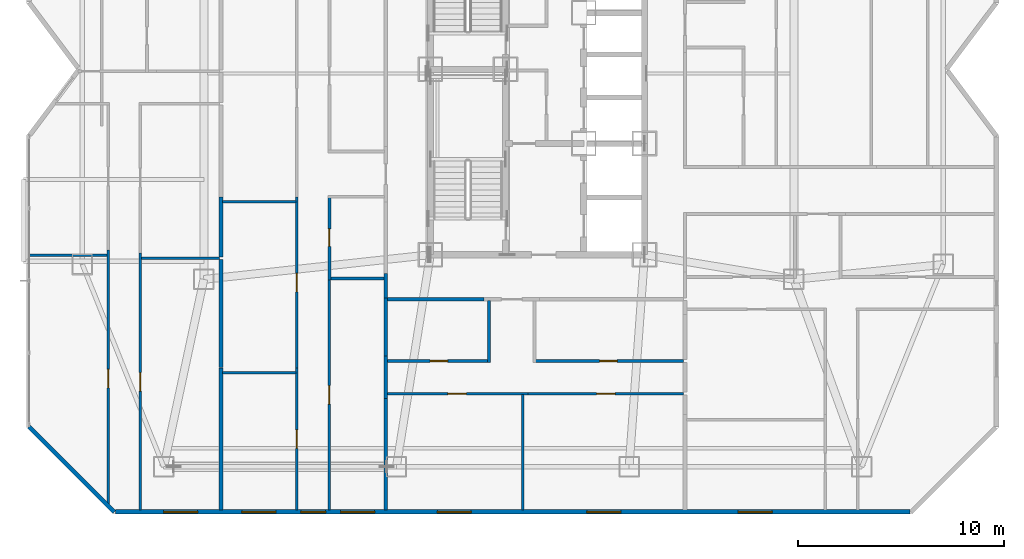
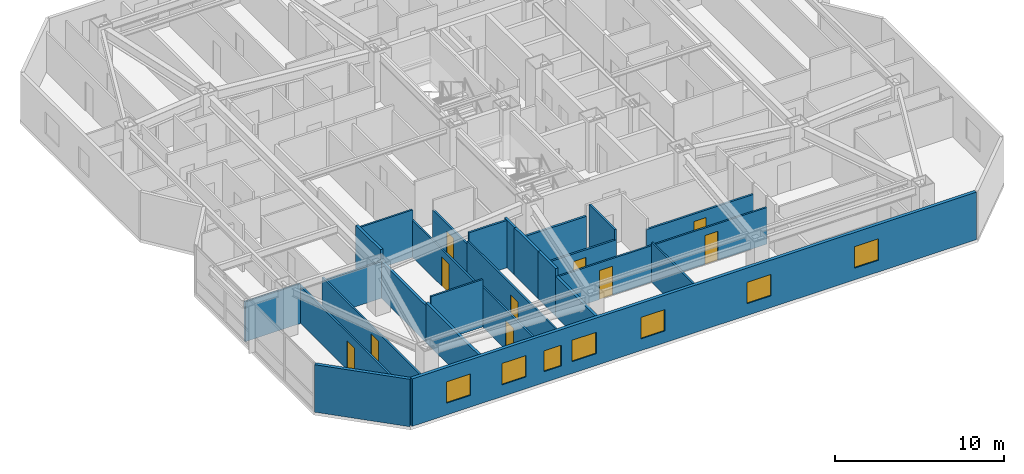
# One storey, part 11 of 18: 27 walls, 10 doors, 7 windows, 17 openings.
"""IFC4 building model written with IfcOpenShell, lengths in metres."""

from ifc_helpers import new_model, si_unit, direction, frame, frame_2d, origin, place, context, subcontext, project, spatial, rectangle, extrude, material, layer, layer_set, type_object, element, fill, save


model = new_model("IFC4")

# Units and contexts
model_context = context("Model", 3, precision=1e-05, world=origin(), true_north=direction((0.0, 1.0)))
body_context = subcontext(model_context, "Body", "Model", "MODEL_VIEW")
ifc_project = project(units=[si_unit("LENGTHUNIT", "METRE"), si_unit("AREAUNIT", "SQUARE_METRE"), si_unit("VOLUMEUNIT", "CUBIC_METRE"), si_unit("PLANEANGLEUNIT", "RADIAN"), si_unit("MASSUNIT", "GRAM", prefix="KILO")], contexts=[model_context])

# Site, building, storey
site_placement = place(None, origin())
site = spatial("IfcSite", under=ifc_project, at=site_placement, CompositionType="ELEMENT")
building_placement = place(site_placement, origin())
building = spatial("IfcBuilding", under=site, at=building_placement, Name="Khamvora Tower", CompositionType="ELEMENT")
storey_placement = place(building_placement, frame((0.0, 0.0, 109.199951171875)))
storey = spatial("IfcBuildingStorey", under=building, at=storey_placement, Name="L27", CompositionType="ELEMENT", Elevation=109.199951171875)

# Walls
ifc_material_1 = material(Name="Fire-Rated Drywall and Steel Stud", Category="steel")
ifc_layer_1 = layer(ifc_material_1, 0.14990234375)
ifc_layer_set_1 = layer_set([ifc_layer_1], Name="Fire-Rated Drywall and Steel Stud")
wall_type_1 = type_object("IfcWallType", Name="WAL-CORR-150", PredefinedType="STANDARD", material=ifc_layer_set_1)
wall_1_placement = place(storey_placement, frame((26.8349609375, 16.89990234375, 0.0), z_axis=(0.0, 0.0, 1.0), x_axis=(0.0, 1.0, 0.0)))
element("IfcWall", 1, at=wall_1_placement, inside=storey, type_object=wall_type_1, Name="L27 interior partition wall 009", PredefinedType="STANDARD", context=body_context, shape_type="SweptSolid", body=[
    extrude(rectangle(XDim=1.193115234375, YDim=0.14990234375, at=frame_2d((0.5966796875, 0.0))), origin(), (0.0, 0.0, 1.0), 3.429931640625),
])
wall_2_placement = place(storey_placement, frame((31.60107421875, 16.8349609375, 0.0), z_axis=(0.0, 0.0, 1.0), x_axis=(-1.0, 0.0, 0.0)))
element("IfcWall", 2, at=wall_2_placement, inside=storey, type_object=wall_type_1, Name="L27 interior partition wall 026", PredefinedType="STANDARD", context=body_context, shape_type="SweptSolid", body=[
    extrude(rectangle(XDim=4.701171875, YDim=0.14990234375, at=frame_2d((2.3505859375, 0.0))), origin(), (0.0, 0.0, 1.0), 2.64697265625),
])
ifc_material_2 = material(Name="Acoustic Double-Stud Fire Wall", Category="gypsum")
ifc_layer_2 = layer(ifc_material_2, 0.179931640625)
ifc_layer_set_2 = layer_set([ifc_layer_2], Name="Acoustic Double-Stud Fire Wall")
wall_type_2 = type_object("IfcWallType", Name="WAL-CORR-180", PredefinedType="STANDARD", material=ifc_layer_set_2)
wall_3_placement = place(storey_placement, frame((18.830078125, 13.510009765625, 0.0), z_axis=(0.0, 0.0, 1.0), x_axis=(0.0, -1.0, 0.0)))
element("IfcWall", 3, at=wall_3_placement, inside=storey, type_object=wall_type_2, Name="L27 interior partition wall 059", PredefinedType="STANDARD", context=body_context, shape_type="SweptSolid", body=[
    extrude(rectangle(XDim=6.89794921875, YDim=0.179931640625, at=frame_2d((3.448974609375, 0.0))), origin(), (0.0, 0.0, 1.0), 2.8759765625),
])
wall_4_placement = place(storey_placement, frame((18.830078125, 18.77001953125, 0.0), z_axis=(0.0, 0.0, 1.0), x_axis=(0.0, -1.0, 0.0)))
element("IfcWall", 4, at=wall_4_placement, inside=storey, type_object=wall_type_2, Name="L27 interior partition wall 060", PredefinedType="STANDARD", context=body_context, shape_type="SweptSolid", body=[
    extrude(rectangle(XDim=5.260009765625, YDim=0.179931640625, at=frame_2d((2.6298828125, 0.0))), origin(), (0.0, 0.0, 1.0), 2.64697265625),
])
wall_5_placement = place(storey_placement, frame((18.830078125, 21.81298828125, 0.0), z_axis=(0.0, 0.0, 1.0), x_axis=(0.0, -1.0, 0.0)))
element("IfcWall", 5, at=wall_5_placement, inside=storey, type_object=wall_type_2, Name="L27 interior partition wall 061", PredefinedType="STANDARD", context=body_context, shape_type="SweptSolid", body=[
    extrude(rectangle(XDim=2.9130859375, YDim=0.179931640625, at=frame_2d((1.45654296875, 0.0))), origin(), (0.0, 0.0, 1.0), 3.429931640625),
])
wall_6_placement = place(storey_placement, frame((26.8349609375, 14.0869140625, 0.0), z_axis=(0.0, 0.0, 1.0), x_axis=(0.0, -1.0, 0.0)))
element("IfcWall", 6, at=wall_6_placement, inside=storey, type_object=wall_type_2, Name="L27 interior partition wall 065", PredefinedType="STANDARD", context=body_context, shape_type="SweptSolid", body=[
    extrude(rectangle(XDim=2.077880859375, YDim=0.179931640625, at=frame_2d((1.0390625, 0.0))), origin(), (0.0, 0.0, 1.0), 3.429931640625),
])
wall_7_placement = place(storey_placement, frame((26.8349609375, 16.89990234375, 0.0), z_axis=(0.0, 0.0, 1.0), x_axis=(0.0, -1.0, 0.0)))
element("IfcWall", 7, at=wall_7_placement, inside=storey, type_object=wall_type_2, Name="L27 interior partition wall 066", PredefinedType="STANDARD", context=body_context, shape_type="SweptSolid", body=[
    extrude(rectangle(XDim=2.81298828125, YDim=0.179931640625, at=frame_2d((1.406494140625, 0.0))), origin(), (0.0, 0.0, 1.0), 3.429931640625),
])
wall_8_placement = place(storey_placement, frame((26.8349609375, 12.009033203125, 0.0), z_axis=(0.0, 0.0, 1.0), x_axis=(0.0, -1.0, 0.0)))
element("IfcWall", 8, at=wall_8_placement, inside=storey, type_object=wall_type_2, Name="L27 interior partition wall 067", PredefinedType="STANDARD", context=body_context, shape_type="SweptSolid", body=[
    extrude(rectangle(XDim=5.39697265625, YDim=0.179931640625, at=frame_2d((2.698486328125, 0.0))), origin(), (0.0, 0.0, 1.0), 2.8759765625),
])
ifc_material_3 = material(Name="Precast concrete C40/50", Category="concrete")
ifc_layer_3 = layer(ifc_material_3, 0.219970703125)
ifc_layer_set_3 = layer_set([ifc_layer_3], Name="Precast concrete C40/50")
wall_type_3 = type_object("IfcWallType", Name="WAL-EXT-220", PredefinedType="STANDARD", material=ifc_layer_set_3)
wall_9_placement = place(storey_placement, frame((13.64599609375, 6.510009765625, 0.0), z_axis=(0.0, 0.0, 1.0), x_axis=(-0.707106781187, 0.707106781187, 0.0)))
element("IfcWall", 9, at=wall_9_placement, inside=storey, type_object=wall_type_3, Name="L27 exterior facade wall 01.1", PredefinedType="STANDARD", context=body_context, shape_type="SweptSolid", body=[
    extrude(rectangle(XDim=5.84912109375, YDim=0.219970703125, at=frame_2d((2.924560546875, 0.0))), origin(), (0.0, 0.0, 1.0), 3.429931640625),
])

# Wall, openings, windows
wall_10_placement = place(storey_placement, frame((52.282958984375, 6.510009765625, 0.0), z_axis=(0.0, 0.0, 1.0), x_axis=(-1.0, 0.0, 0.0)))
wall_10 = element("IfcWall", 10, at=wall_10_placement, inside=storey, type_object=wall_type_3, Name="L27 exterior facade wall 14.1", PredefinedType="STANDARD", context=body_context, shape_type="SweptSolid", body=[
    extrude(rectangle(XDim=38.56787109375, YDim=0.219970703125, at=frame_2d((19.283935546875, 0.0))), origin(), (0.0, 0.0, 1.0), 3.429931640625),
])
opening_1_placement = place(wall_10_placement, frame((34.5810546875, 0.0, 0.85009765625)))
opening_1 = element("IfcOpeningElement", 11, at=opening_1_placement, cuts=wall_10, Name="Opening WN-06", PredefinedType="OPENING", context=body_context, shape_type="SweptSolid", body=[
    extrude(rectangle(XDim=1.64990234375, YDim=1.550048828125, at=frame_2d((0.824951171875, 0.77490234375))), frame((0.0, 0.119873046875, 0.0), z_axis=(0.0, -1.0, 0.0), x_axis=(1.0, 0.0, 0.0)), (0.0, 0.0, 1.0), 0.239990234375),
])
opening_2_placement = place(wall_10_placement, frame((25.991943359375, 0.0, 0.85009765625)))
opening_2 = element("IfcOpeningElement", 12, at=opening_2_placement, cuts=wall_10, Name="Opening WN-06", PredefinedType="OPENING", context=body_context, shape_type="SweptSolid", body=[
    extrude(rectangle(XDim=1.64990234375, YDim=1.550048828125, at=frame_2d((0.824951171875, 0.77490234375))), frame((0.0, 0.119873046875, 0.0), z_axis=(0.0, -1.0, 0.0), x_axis=(1.0, 0.0, 0.0)), (0.0, 0.0, 1.0), 0.239990234375),
])
opening_3_placement = place(wall_10_placement, frame((28.375, 0.0, 0.800048828125)))
opening_3 = element("IfcOpeningElement", 13, at=opening_3_placement, cuts=wall_10, Name="Opening WN-03", PredefinedType="OPENING", context=body_context, shape_type="SweptSolid", body=[
    extrude(rectangle(XDim=1.199951171875, YDim=1.5, at=frame_2d((0.60009765625, 0.75))), frame((0.0, 0.119873046875, 0.0), z_axis=(0.0, -1.0, 0.0), x_axis=(1.0, 0.0, 0.0)), (0.0, 0.0, 1.0), 0.239990234375),
])
opening_4_placement = place(wall_10_placement, frame((30.783935546875, 0.0, 0.85009765625)))
opening_4 = element("IfcOpeningElement", 14, at=opening_4_placement, cuts=wall_10, Name="Opening WN-06", PredefinedType="OPENING", context=body_context, shape_type="SweptSolid", body=[
    extrude(rectangle(XDim=1.64990234375, YDim=1.550048828125, at=frame_2d((0.824951171875, 0.77490234375))), frame((0.0, 0.119873046875, 0.0), z_axis=(0.0, -1.0, 0.0), x_axis=(1.0, 0.0, 0.0)), (0.0, 0.0, 1.0), 0.239990234375),
])
opening_5_placement = place(wall_10_placement, frame((21.298095703125, 0.0, 0.85009765625)))
opening_5 = element("IfcOpeningElement", 15, at=opening_5_placement, cuts=wall_10, Name="Opening WN-06", PredefinedType="OPENING", context=body_context, shape_type="SweptSolid", body=[
    extrude(rectangle(XDim=1.64990234375, YDim=1.550048828125, at=frame_2d((0.824951171875, 0.77490234375))), frame((0.0, 0.119873046875, 0.0), z_axis=(0.0, -1.0, 0.0), x_axis=(1.0, 0.0, 0.0)), (0.0, 0.0, 1.0), 0.239990234375),
])
opening_6_placement = place(wall_10_placement, frame((14.032958984375, 0.0, 0.85009765625)))
opening_6 = element("IfcOpeningElement", 16, at=opening_6_placement, cuts=wall_10, Name="Opening WN-06", PredefinedType="OPENING", context=body_context, shape_type="SweptSolid", body=[
    extrude(rectangle(XDim=1.64990234375, YDim=1.550048828125, at=frame_2d((0.824951171875, 0.77490234375))), frame((0.0, 0.119873046875, 0.0), z_axis=(0.0, -1.0, 0.0), x_axis=(1.0, 0.0, 0.0)), (0.0, 0.0, 1.0), 0.239990234375),
])
opening_7_placement = place(wall_10_placement, frame((6.68798828125, 0.0, 0.85009765625)))
opening_7 = element("IfcOpeningElement", 17, at=opening_7_placement, cuts=wall_10, Name="Opening WN-06", PredefinedType="OPENING", context=body_context, shape_type="SweptSolid", body=[
    extrude(rectangle(XDim=1.64990234375, YDim=1.550048828125, at=frame_2d((0.824951171875, 0.77490234375))), frame((0.0, 0.119873046875, 0.0), z_axis=(0.0, -1.0, 0.0), x_axis=(1.0, 0.0, 0.0)), (0.0, 0.0, 1.0), 0.239990234375),
])
ifc_material_4 = material(Name="Low-E Laminated Double Glazing", Category="glass")
window_type_1 = type_object("IfcWindowType", Name="WIN-VIS-1200x1500", PartitioningType="SINGLE_PANEL", PredefinedType="WINDOW", material=ifc_material_4)
window_1_placement = place(opening_3_placement, origin())
window_1 = element("IfcWindow", 18, at=window_1_placement, inside=storey, type_object=window_type_1, Name="L27 vision window 14.1.03", OverallHeight=1.5, OverallWidth=1.199951171875, PartitioningType="SINGLE_PANEL", PredefinedType="WINDOW", context=body_context, shape_type="SweptSolid", body=[
    extrude(rectangle(XDim=1.199951171875, YDim=1.5, at=frame_2d((0.60009765625, 0.75))), frame((0.0, 0.030029296875, 0.0), z_axis=(0.0, -1.0, 0.0), x_axis=(1.0, 0.0, 0.0)), (0.0, 0.0, 1.0), 0.06005859375),
])
fill(opening_3, window_1)
window_type_2 = type_object("IfcWindowType", Name="WIN-VIS-1650x1550", PartitioningType="SINGLE_PANEL", PredefinedType="WINDOW", material=ifc_material_4)
window_2_placement = place(opening_1_placement, origin())
window_2 = element("IfcWindow", 19, at=window_2_placement, inside=storey, type_object=window_type_2, Name="L27 vision window 14.1.01", OverallHeight=1.550048828125, OverallWidth=1.64990234375, PartitioningType="SINGLE_PANEL", PredefinedType="WINDOW", context=body_context, shape_type="SweptSolid", body=[
    extrude(rectangle(XDim=1.64990234375, YDim=1.550048828125, at=frame_2d((0.824951171875, 0.77490234375))), frame((0.0, 0.030029296875, 0.0), z_axis=(0.0, -1.0, 0.0), x_axis=(1.0, 0.0, 0.0)), (0.0, 0.0, 1.0), 0.06005859375),
])
fill(opening_1, window_2)
window_3_placement = place(opening_2_placement, origin())
window_3 = element("IfcWindow", 20, at=window_3_placement, inside=storey, type_object=window_type_2, Name="L27 vision window 14.1.02", OverallHeight=1.550048828125, OverallWidth=1.64990234375, PartitioningType="SINGLE_PANEL", PredefinedType="WINDOW", context=body_context, shape_type="SweptSolid", body=[
    extrude(rectangle(XDim=1.64990234375, YDim=1.550048828125, at=frame_2d((0.824951171875, 0.77490234375))), frame((0.0, 0.030029296875, 0.0), z_axis=(0.0, -1.0, 0.0), x_axis=(1.0, 0.0, 0.0)), (0.0, 0.0, 1.0), 0.06005859375),
])
fill(opening_2, window_3)
window_4_placement = place(opening_4_placement, origin())
window_4 = element("IfcWindow", 21, at=window_4_placement, inside=storey, type_object=window_type_2, Name="L27 vision window 14.1.04", OverallHeight=1.550048828125, OverallWidth=1.64990234375, PartitioningType="SINGLE_PANEL", PredefinedType="WINDOW", context=body_context, shape_type="SweptSolid", body=[
    extrude(rectangle(XDim=1.64990234375, YDim=1.550048828125, at=frame_2d((0.824951171875, 0.77490234375))), frame((0.0, 0.030029296875, 0.0), z_axis=(0.0, -1.0, 0.0), x_axis=(1.0, 0.0, 0.0)), (0.0, 0.0, 1.0), 0.06005859375),
])
fill(opening_4, window_4)
window_5_placement = place(opening_5_placement, origin())
window_5 = element("IfcWindow", 22, at=window_5_placement, inside=storey, type_object=window_type_2, Name="L27 vision window 14.1.05", OverallHeight=1.550048828125, OverallWidth=1.64990234375, PartitioningType="SINGLE_PANEL", PredefinedType="WINDOW", context=body_context, shape_type="SweptSolid", body=[
    extrude(rectangle(XDim=1.64990234375, YDim=1.550048828125, at=frame_2d((0.824951171875, 0.77490234375))), frame((0.0, 0.030029296875, 0.0), z_axis=(0.0, -1.0, 0.0), x_axis=(1.0, 0.0, 0.0)), (0.0, 0.0, 1.0), 0.06005859375),
])
fill(opening_5, window_5)
window_6_placement = place(opening_6_placement, origin())
window_6 = element("IfcWindow", 23, at=window_6_placement, inside=storey, type_object=window_type_2, Name="L27 vision window 14.1.06", OverallHeight=1.550048828125, OverallWidth=1.64990234375, PartitioningType="SINGLE_PANEL", PredefinedType="WINDOW", context=body_context, shape_type="SweptSolid", body=[
    extrude(rectangle(XDim=1.64990234375, YDim=1.550048828125, at=frame_2d((0.824951171875, 0.77490234375))), frame((0.0, 0.030029296875, 0.0), z_axis=(0.0, -1.0, 0.0), x_axis=(1.0, 0.0, 0.0)), (0.0, 0.0, 1.0), 0.06005859375),
])
fill(opening_6, window_6)
window_7_placement = place(opening_7_placement, origin())
window_7 = element("IfcWindow", 24, at=window_7_placement, inside=storey, type_object=window_type_2, Name="L27 vision window 14.1.07", OverallHeight=1.550048828125, OverallWidth=1.64990234375, PartitioningType="SINGLE_PANEL", PredefinedType="WINDOW", context=body_context, shape_type="SweptSolid", body=[
    extrude(rectangle(XDim=1.64990234375, YDim=1.550048828125, at=frame_2d((0.824951171875, 0.77490234375))), frame((0.0, 0.030029296875, 0.0), z_axis=(0.0, -1.0, 0.0), x_axis=(1.0, 0.0, 0.0)), (0.0, 0.0, 1.0), 0.06005859375),
])
fill(opening_7, window_7)

# Wall, opening, door
ifc_material_5 = material(Name="Gypsum Plasterboard Partition", Category="gypsum")
ifc_layer_4 = layer(ifc_material_5, 0.1201171875)
ifc_layer_set_4 = layer_set([ifc_layer_4], Name="Gypsum Plasterboard Partition")
wall_type_4 = type_object("IfcWallType", Name="WAL-PART-120", PredefinedType="PARTITIONING", material=ifc_layer_set_4)
wall_11_placement = place(storey_placement, frame((13.35302734375, 6.7939453125, 0.0), z_axis=(0.0, 0.0, 1.0), x_axis=(0.0, 1.0, 0.0)))
wall_11 = element("IfcWall", 25, at=wall_11_placement, inside=storey, type_object=wall_type_4, Name="L27 interior partition wall 049", PredefinedType="PARTITIONING", context=body_context, shape_type="SweptSolid", body=[
    extrude(rectangle(XDim=12.425048828125, YDim=0.1201171875, at=frame_2d((6.21240234375, 0.0))), origin(), (0.0, 0.0, 1.0), 2.68701171875),
])
opening_8_placement = place(wall_11_placement, frame((5.740966796875, 0.0, 0.0)))
opening_8 = element("IfcOpeningElement", 26, at=opening_8_placement, cuts=wall_11, Name="Opening D-RM1", PredefinedType="OPENING", context=body_context, shape_type="SweptSolid", body=[
    extrude(rectangle(XDim=0.89990234375, YDim=2.10009765625, at=frame_2d((0.449951171875, 1.050048828125))), frame((0.0, 0.070068359375, 0.0), z_axis=(0.0, -1.0, 0.0), x_axis=(1.0, 0.0, 0.0)), (0.0, 0.0, 1.0), 0.14013671875),
])
ifc_material_6 = material(Name="Powder-Coated Steel and Hardwood Leaf", Category="steel")
door_type_1 = type_object("IfcDoorType", Name="DOR-ROOM-900", OperationType="NOTDEFINED", PredefinedType="DOOR", material=ifc_material_6)
door_1_placement = place(opening_8_placement, origin())
door_1 = element("IfcDoor", 27, at=door_1_placement, inside=storey, type_object=door_type_1, Name="L27 interior door 27WA1H-27WA1R1", OperationType="SINGLE_SWING_LEFT", OverallHeight=2.10009765625, OverallWidth=0.89990234375, PredefinedType="DOOR", context=body_context, shape_type="SweptSolid", body=[
    extrude(rectangle(XDim=0.89990234375, YDim=2.10009765625, at=frame_2d((0.449951171875, 1.050048828125))), frame((0.0, 0.02490234375, 0.0), z_axis=(0.0, -1.0, 0.0), x_axis=(1.0, 0.0, 0.0)), (0.0, 0.0, 1.0), 0.050048828125),
])
fill(opening_8, door_1)

wall_12_placement = place(storey_placement, frame((14.923095703125, 19.083984375, 0.0), z_axis=(0.0, 0.0, 1.0), x_axis=(0.0, -1.0, 0.0)))
wall_12 = element("IfcWall", 28, at=wall_12_placement, inside=storey, type_object=wall_type_4, Name="L27 interior partition wall 052", PredefinedType="PARTITIONING", context=body_context, shape_type="SweptSolid", body=[
    extrude(rectangle(XDim=12.471923828125, YDim=0.1201171875, at=frame_2d((6.23583984375, 0.0))), origin(), (0.0, 0.0, 1.0), 2.68701171875),
])
opening_9_placement = place(wall_12_placement, frame((5.806884765625, 0.0, 0.0)))
opening_9 = element("IfcOpeningElement", 29, at=opening_9_placement, cuts=wall_12, Name="Opening D-RM1", PredefinedType="OPENING", context=body_context, shape_type="SweptSolid", body=[
    extrude(rectangle(XDim=0.89990234375, YDim=2.10009765625, at=frame_2d((0.449951171875, 1.050048828125))), frame((0.0, 0.070068359375, 0.0), z_axis=(0.0, -1.0, 0.0), x_axis=(1.0, 0.0, 0.0)), (0.0, 0.0, 1.0), 0.14013671875),
])
door_2_placement = place(opening_9_placement, origin())
door_2 = element("IfcDoor", 30, at=door_2_placement, inside=storey, type_object=door_type_1, Name="L27 interior door 27WA1H-27WA1R3", OperationType="SINGLE_SWING_LEFT", OverallHeight=2.10009765625, OverallWidth=0.89990234375, PredefinedType="DOOR", context=body_context, shape_type="SweptSolid", body=[
    extrude(rectangle(XDim=0.89990234375, YDim=2.10009765625, at=frame_2d((0.449951171875, 1.050048828125))), frame((0.0, 0.02490234375, 0.0), z_axis=(0.0, -1.0, 0.0), x_axis=(1.0, 0.0, 0.0)), (0.0, 0.0, 1.0), 0.050048828125),
])
fill(opening_9, door_2)

# Walls
wall_13_placement = place(storey_placement, frame((9.510009765625, 18.969970703125, 0.0), z_axis=(0.0, 0.0, 1.0), x_axis=(1.0, 0.0, 0.0)))
element("IfcWall", 31, at=wall_13_placement, inside=storey, type_object=wall_type_4, Name="L27 interior partition wall 057", PredefinedType="PARTITIONING", context=body_context, shape_type="SweptSolid", body=[
    extrude(rectangle(XDim=3.7890625, YDim=0.1201171875, at=frame_2d((1.89453125, 0.0))), origin(), (0.0, 0.0, 1.0), 2.8759765625),
])
wall_14_placement = place(storey_placement, frame((14.97705078125, 18.8349609375, 0.0), z_axis=(0.0, 0.0, 1.0), x_axis=(1.0, 0.0, 0.0)))
element("IfcWall", 32, at=wall_14_placement, inside=storey, type_object=wall_type_4, Name="L27 interior partition wall 058", PredefinedType="PARTITIONING", context=body_context, shape_type="SweptSolid", body=[
    extrude(rectangle(XDim=3.787841796875, YDim=0.1201171875, at=frame_2d((1.89404296875, 0.0))), origin(), (0.0, 0.0, 1.0), 2.64697265625),
])

# Wall, opening, door
wall_15_placement = place(storey_placement, frame((24.097900390625, 6.612060546875, 0.0), z_axis=(0.0, 0.0, 1.0), x_axis=(0.0, 1.0, 0.0)))
wall_15 = element("IfcWall", 33, at=wall_15_placement, inside=storey, type_object=wall_type_4, Name="L27 interior partition wall 063", PredefinedType="PARTITIONING", context=body_context, shape_type="SweptSolid", body=[
    extrude(rectangle(XDim=11.1669921875, YDim=0.1201171875, at=frame_2d((5.58349609375, 0.0))), origin(), (0.0, 0.0, 1.0), 2.8759765625),
])
opening_10_placement = place(wall_15_placement, frame((5.133056640625, 0.0, 0.0)))
opening_10 = element("IfcOpeningElement", 34, at=opening_10_placement, cuts=wall_15, Name="Opening D-RM1", PredefinedType="OPENING", context=body_context, shape_type="SweptSolid", body=[
    extrude(rectangle(XDim=0.89990234375, YDim=2.10009765625, at=frame_2d((0.449951171875, 1.050048828125))), frame((0.0, 0.070068359375, 0.0), z_axis=(0.0, -1.0, 0.0), x_axis=(1.0, 0.0, 0.0)), (0.0, 0.0, 1.0), 0.14013671875),
])
door_3_placement = place(opening_10_placement, origin())
door_3 = element("IfcDoor", 35, at=door_3_placement, inside=storey, type_object=door_type_1, Name="L27 interior door 27WA2W1-27WA2H", OperationType="SINGLE_SWING_LEFT", OverallHeight=2.10009765625, OverallWidth=0.89990234375, PredefinedType="DOOR", context=body_context, shape_type="SweptSolid", body=[
    extrude(rectangle(XDim=0.89990234375, YDim=2.10009765625, at=frame_2d((0.449951171875, 1.050048828125))), frame((0.0, 0.02490234375, 0.0), z_axis=(0.0, -1.0, 0.0), x_axis=(1.0, 0.0, 0.0)), (0.0, 0.0, 1.0), 0.050048828125),
])
fill(opening_10, door_3)

wall_16_placement = place(storey_placement, frame((22.51806640625, 6.612060546875, 0.0), z_axis=(0.0, 0.0, 1.0), x_axis=(0.0, 1.0, 0.0)))
wall_16 = element("IfcWall", 36, at=wall_16_placement, inside=storey, type_object=wall_type_4, Name="L27 interior partition wall 072", PredefinedType="PARTITIONING", context=body_context, shape_type="SweptSolid", body=[
    extrude(rectangle(XDim=6.89794921875, YDim=0.1201171875, at=frame_2d((3.448974609375, 0.0))), origin(), (0.0, 0.0, 1.0), 2.8759765625),
])
opening_11_placement = place(wall_16_placement, frame((2.97802734375, 0.0, 0.0)))
opening_11 = element("IfcOpeningElement", 37, at=opening_11_placement, cuts=wall_16, Name="Opening D-RM1", PredefinedType="OPENING", context=body_context, shape_type="SweptSolid", body=[
    extrude(rectangle(XDim=0.89990234375, YDim=2.10009765625, at=frame_2d((0.449951171875, 1.050048828125))), frame((0.0, 0.070068359375, 0.0), z_axis=(0.0, -1.0, 0.0), x_axis=(1.0, 0.0, 0.0)), (0.0, 0.0, 1.0), 0.14013671875),
])
door_4_placement = place(opening_11_placement, origin())
door_4 = element("IfcDoor", 38, at=door_4_placement, inside=storey, type_object=door_type_1, Name="L27 interior door 27WA2H-27WA2L", OperationType="SINGLE_SWING_RIGHT", OverallHeight=2.10009765625, OverallWidth=0.89990234375, PredefinedType="DOOR", context=body_context, shape_type="SweptSolid", body=[
    extrude(rectangle(XDim=0.89990234375, YDim=2.10009765625, at=frame_2d((0.449951171875, 1.050048828125))), frame((0.0, 0.02490234375, 0.0), z_axis=(0.0, -1.0, 0.0), x_axis=(1.0, 0.0, 0.0)), (0.0, 0.0, 1.0), 0.050048828125),
])
fill(opening_11, door_4)

wall_17_placement = place(storey_placement, frame((22.51806640625, 13.510009765625, 0.0), z_axis=(0.0, 0.0, 1.0), x_axis=(0.0, 1.0, 0.0)))
wall_17 = element("IfcWall", 39, at=wall_17_placement, inside=storey, type_object=wall_type_4, Name="L27 interior partition wall 073", PredefinedType="PARTITIONING", context=body_context, shape_type="SweptSolid", body=[
    extrude(rectangle(XDim=8.302978515625, YDim=0.1201171875, at=frame_2d((4.1513671875, 0.0))), origin(), (0.0, 0.0, 1.0), 2.64697265625),
])
opening_12_placement = place(wall_17_placement, frame((3.679931640625, 0.0, 0.0)))
opening_12 = element("IfcOpeningElement", 40, at=opening_12_placement, cuts=wall_17, Name="Opening D-RM1", PredefinedType="OPENING", context=body_context, shape_type="SweptSolid", body=[
    extrude(rectangle(XDim=0.89990234375, YDim=2.10009765625, at=frame_2d((0.449951171875, 1.050048828125))), frame((0.0, 0.070068359375, 0.0), z_axis=(0.0, -1.0, 0.0), x_axis=(1.0, 0.0, 0.0)), (0.0, 0.0, 1.0), 0.14013671875),
])
door_5_placement = place(opening_12_placement, origin())
door_5 = element("IfcDoor", 41, at=door_5_placement, inside=storey, type_object=door_type_1, Name="L27 interior door 27WA2H-27WA2R2", OperationType="SINGLE_SWING_LEFT", OverallHeight=2.10009765625, OverallWidth=0.89990234375, PredefinedType="DOOR", context=body_context, shape_type="SweptSolid", body=[
    extrude(rectangle(XDim=0.89990234375, YDim=2.10009765625, at=frame_2d((0.449951171875, 1.050048828125))), frame((0.0, 0.02490234375, 0.0), z_axis=(0.0, -1.0, 0.0), x_axis=(1.0, 0.0, 0.0)), (0.0, 0.0, 1.0), 0.050048828125),
])
fill(opening_12, door_5)

# Walls
for number, where, z_axis, x_axis, name in (
    (42, (18.912109375, 13.260986328125, 0.0), (0.0, 0.0, 1.0), (1.0, 0.0, 0.0), "L27 interior partition wall 075"),
    (43, (18.912109375, 21.56396484375, 0.0), (0.0, 0.0, 1.0), (1.0, 0.0, 0.0), "L27 interior partition wall 076"),
):
    element("IfcWall", number, at=place(storey_placement, frame(where, z_axis=z_axis, x_axis=x_axis)), inside=storey, type_object=wall_type_4, Name=name, PredefinedType="PARTITIONING", context=body_context, shape_type="SweptSolid", body=[
        extrude(rectangle(XDim=3.552001953125, YDim=0.1201171875, at=frame_2d((1.77587890625, 0.0))), origin(), (0.0, 0.0, 1.0), 3.429931640625),
    ])

# Wall, opening, door
wall_18_placement = place(storey_placement, frame((33.73388671875, 12.258056640625, 0.0), z_axis=(0.0, 0.0, 1.0), x_axis=(-1.0, 0.0, 0.0)))
wall_18 = element("IfcWall", 44, at=wall_18_placement, inside=storey, type_object=wall_type_4, Name="L27 interior partition wall 104", PredefinedType="PARTITIONING", context=body_context, shape_type="SweptSolid", body=[
    extrude(rectangle(XDim=6.81689453125, YDim=0.1201171875, at=frame_2d((3.408447265625, 0.0))), origin(), (0.0, 0.0, 1.0), 2.64697265625),
])
opening_13_placement = place(wall_18_placement, frame((2.97998046875, 0.0, 0.0)))
opening_13 = element("IfcOpeningElement", 45, at=opening_13_placement, cuts=wall_18, Name="Opening D-RM1", PredefinedType="OPENING", context=body_context, shape_type="SweptSolid", body=[
    extrude(rectangle(XDim=0.89990234375, YDim=2.10009765625, at=frame_2d((0.449951171875, 1.050048828125))), frame((0.0, 0.070068359375, 0.0), z_axis=(0.0, -1.0, 0.0), x_axis=(1.0, 0.0, 0.0)), (0.0, 0.0, 1.0), 0.14013671875),
])
door_6_placement = place(opening_13_placement, origin())
door_6 = element("IfcDoor", 46, at=door_6_placement, inside=storey, type_object=door_type_1, Name="L27 interior door 27SAH-27SAR1", OperationType="SINGLE_SWING_LEFT", OverallHeight=2.10009765625, OverallWidth=0.89990234375, PredefinedType="DOOR", context=body_context, shape_type="SweptSolid", body=[
    extrude(rectangle(XDim=0.89990234375, YDim=2.10009765625, at=frame_2d((0.449951171875, 1.050048828125))), frame((0.0, 0.02490234375, 0.0), z_axis=(0.0, -1.0, 0.0), x_axis=(1.0, 0.0, 0.0)), (0.0, 0.0, 1.0), 0.050048828125),
])
fill(opening_13, door_6)

wall_19_placement = place(storey_placement, frame((41.300048828125, 12.258056640625, 0.0), z_axis=(0.0, 0.0, 1.0), x_axis=(-1.0, 0.0, 0.0)))
wall_19 = element("IfcWall", 47, at=wall_19_placement, inside=storey, type_object=wall_type_4, Name="L27 interior partition wall 105", PredefinedType="PARTITIONING", context=body_context, shape_type="SweptSolid", body=[
    extrude(rectangle(XDim=7.566162109375, YDim=0.1201171875, at=frame_2d((3.783203125, 0.0))), origin(), (0.0, 0.0, 1.0), 2.64697265625),
])
opening_14_placement = place(wall_19_placement, frame((3.3330078125, 0.0, 0.0)))
opening_14 = element("IfcOpeningElement", 48, at=opening_14_placement, cuts=wall_19, Name="Opening D-RM1", PredefinedType="OPENING", context=body_context, shape_type="SweptSolid", body=[
    extrude(rectangle(XDim=0.89990234375, YDim=2.10009765625, at=frame_2d((0.449951171875, 1.050048828125))), frame((0.0, 0.070068359375, 0.0), z_axis=(0.0, -1.0, 0.0), x_axis=(1.0, 0.0, 0.0)), (0.0, 0.0, 1.0), 0.14013671875),
])
door_7_placement = place(opening_14_placement, origin())
door_7 = element("IfcDoor", 49, at=door_7_placement, inside=storey, type_object=door_type_1, Name="L27 interior door 27SAH-27SAR2", OperationType="SINGLE_SWING_RIGHT", OverallHeight=2.10009765625, OverallWidth=0.89990234375, PredefinedType="DOOR", context=body_context, shape_type="SweptSolid", body=[
    extrude(rectangle(XDim=0.89990234375, YDim=2.10009765625, at=frame_2d((0.449951171875, 1.050048828125))), frame((0.0, 0.02490234375, 0.0), z_axis=(0.0, -1.0, 0.0), x_axis=(1.0, 0.0, 0.0)), (0.0, 0.0, 1.0), 0.050048828125),
])
fill(opening_14, door_7)

# Walls
wall_20_placement = place(storey_placement, frame((33.48388671875, 12.2041015625, 0.0), z_axis=(0.0, 0.0, 1.0), x_axis=(0.0, -1.0, 0.0)))
element("IfcWall", 50, at=wall_20_placement, inside=storey, type_object=wall_type_4, Name="L27 interior partition wall 109", PredefinedType="PARTITIONING", context=body_context, shape_type="SweptSolid", body=[
    extrude(rectangle(XDim=5.592041015625, YDim=0.1201171875, at=frame_2d((2.7958984375, 0.0))), origin(), (0.0, 0.0, 1.0), 2.8759765625),
])
ifc_material_7 = material(Name="Moisture-Resistant Plasterboard Partition", Category="gypsum")
ifc_layer_5 = layer(ifc_material_7, 0.135009765625)
ifc_layer_set_5 = layer_set([ifc_layer_5], Name="Moisture-Resistant Plasterboard Partition")
wall_type_5 = type_object("IfcWallType", Name="WAL-WET-135", PredefinedType="PARTITIONING", material=ifc_layer_set_5)
wall_21_placement = place(storey_placement, frame((24.1630859375, 17.843994140625, 0.0), z_axis=(0.0, 0.0, 1.0), x_axis=(1.0, 0.0, 0.0)))
element("IfcWall", 51, at=wall_21_placement, inside=storey, type_object=wall_type_5, Name="L27 interior partition wall 064", PredefinedType="PARTITIONING", context=body_context, shape_type="SweptSolid", body=[
    extrude(rectangle(XDim=2.60693359375, YDim=0.135009765625, at=frame_2d((1.303466796875, 0.0))), origin(), (0.0, 0.0, 1.0), 3.429931640625),
])

# Wall, opening, door
wall_22_placement = place(storey_placement, frame((24.097900390625, 21.8740234375, 0.0), z_axis=(0.0, 0.0, 1.0), x_axis=(0.0, -1.0, 0.0)))
wall_22 = element("IfcWall", 52, at=wall_22_placement, inside=storey, type_object=wall_type_5, Name="L27 interior partition wall 069", PredefinedType="PARTITIONING", context=body_context, shape_type="SweptSolid", body=[
    extrude(rectangle(XDim=4.094970703125, YDim=0.135009765625, at=frame_2d((2.04736328125, 0.0))), origin(), (0.0, 0.0, 1.0), 2.64697265625),
])
opening_15_placement = place(wall_22_placement, frame((1.6220703125, 0.0, 0.0)))
opening_15 = element("IfcOpeningElement", 53, at=opening_15_placement, cuts=wall_22, Name="Opening D-WC1", PredefinedType="OPENING", context=body_context, shape_type="SweptSolid", body=[
    extrude(rectangle(XDim=0.85009765625, YDim=2.10009765625, at=frame_2d((0.425048828125, 1.050048828125))), frame((0.0, 0.077392578125, 0.0), z_axis=(0.0, -1.0, 0.0), x_axis=(1.0, 0.0, 0.0)), (0.0, 0.0, 1.0), 0.155029296875),
])
door_type_2 = type_object("IfcDoorType", Name="DOR-WET-850", OperationType="NOTDEFINED", PredefinedType="DOOR", material=ifc_material_6)
door_8_placement = place(opening_15_placement, origin())
door_8 = element("IfcDoor", 54, at=door_8_placement, inside=storey, type_object=door_type_2, Name="L27 interior door 27WA2H-27WA2B", OperationType="SINGLE_SWING_RIGHT", OverallHeight=2.10009765625, OverallWidth=0.85009765625, PredefinedType="DOOR", context=body_context, shape_type="SweptSolid", body=[
    extrude(rectangle(XDim=0.85009765625, YDim=2.10009765625, at=frame_2d((0.425048828125, 1.050048828125))), frame((0.0, 0.02490234375, 0.0), z_axis=(0.0, -1.0, 0.0), x_axis=(1.0, 0.0, 0.0)), (0.0, 0.0, 1.0), 0.050048828125),
])
fill(opening_15, door_8)

wall_23_placement = place(storey_placement, frame((26.9169921875, 13.837890625, 0.0), z_axis=(0.0, 0.0, 1.0), x_axis=(1.0, 0.0, 0.0)))
wall_23 = element("IfcWall", 55, at=wall_23_placement, inside=storey, type_object=wall_type_5, Name="L27 interior partition wall 100", PredefinedType="PARTITIONING", context=body_context, shape_type="SweptSolid", body=[
    extrude(rectangle(XDim=4.998046875, YDim=0.135009765625, at=frame_2d((2.4990234375, 0.0))), origin(), (0.0, 0.0, 1.0), 2.64697265625),
])
opening_16_placement = place(wall_23_placement, frame((2.073974609375, 0.0, 0.0)))
opening_16 = element("IfcOpeningElement", 56, at=opening_16_placement, cuts=wall_23, Name="Opening D-WC1", PredefinedType="OPENING", context=body_context, shape_type="SweptSolid", body=[
    extrude(rectangle(XDim=0.85009765625, YDim=2.10009765625, at=frame_2d((0.425048828125, 1.050048828125))), frame((0.0, 0.077392578125, 0.0), z_axis=(0.0, -1.0, 0.0), x_axis=(1.0, 0.0, 0.0)), (0.0, 0.0, 1.0), 0.155029296875),
])
door_9_placement = place(opening_16_placement, origin())
door_9 = element("IfcDoor", 57, at=door_9_placement, inside=storey, type_object=door_type_2, Name="L27 interior door 27SAH-27SAB", OperationType="SINGLE_SWING_LEFT", OverallHeight=2.10009765625, OverallWidth=0.85009765625, PredefinedType="DOOR", context=body_context, shape_type="SweptSolid", body=[
    extrude(rectangle(XDim=0.85009765625, YDim=2.10009765625, at=frame_2d((0.425048828125, 1.050048828125))), frame((0.0, 0.02490234375, 0.0), z_axis=(0.0, -1.0, 0.0), x_axis=(1.0, 0.0, 0.0)), (0.0, 0.0, 1.0), 0.050048828125),
])
fill(opening_16, door_9)

# Wall
wall_24_placement = place(storey_placement, frame((31.85009765625, 13.77294921875, 0.0), z_axis=(0.0, 0.0, 1.0), x_axis=(0.0, 1.0, 0.0)))
element("IfcWall", 58, at=wall_24_placement, inside=storey, type_object=wall_type_5, Name="L27 interior partition wall 101", PredefinedType="PARTITIONING", context=body_context, shape_type="SweptSolid", body=[
    extrude(rectangle(XDim=2.9970703125, YDim=0.135009765625, at=frame_2d((1.49853515625, 0.0))), origin(), (0.0, 0.0, 1.0), 3.429931640625),
])

# Wall, opening, door
wall_25_placement = place(storey_placement, frame((33.985107421875, 13.837890625, 0.0), z_axis=(0.0, 0.0, 1.0), x_axis=(1.0, 0.0, 0.0)))
wall_25 = element("IfcWall", 59, at=wall_25_placement, inside=storey, type_object=wall_type_5, Name="L27 interior partition wall 103", PredefinedType="PARTITIONING", context=body_context, shape_type="SweptSolid", body=[
    extrude(rectangle(XDim=7.31494140625, YDim=0.135009765625, at=frame_2d((3.657470703125, 0.0))), origin(), (0.0, 0.0, 1.0), 2.64697265625),
])
opening_17_placement = place(wall_25_placement, frame((3.23291015625, 0.0, 0.0)))
opening_17 = element("IfcOpeningElement", 60, at=opening_17_placement, cuts=wall_25, Name="Opening D-RM2", PredefinedType="OPENING", context=body_context, shape_type="SweptSolid", body=[
    extrude(rectangle(XDim=0.85009765625, YDim=2.10009765625, at=frame_2d((0.425048828125, 1.050048828125))), frame((0.0, 0.077392578125, 0.0), z_axis=(0.0, -1.0, 0.0), x_axis=(1.0, 0.0, 0.0)), (0.0, 0.0, 1.0), 0.155029296875),
])
door_type_3 = type_object("IfcDoorType", Name="DOR-ROOM-850", OperationType="NOTDEFINED", PredefinedType="DOOR", material=ifc_material_6)
door_10_placement = place(opening_17_placement, origin())
door_10 = element("IfcDoor", 61, at=door_10_placement, inside=storey, type_object=door_type_3, Name="L27 interior door 27SAH-27SAK", OperationType="SINGLE_SWING_RIGHT", OverallHeight=2.10009765625, OverallWidth=0.85009765625, PredefinedType="DOOR", context=body_context, shape_type="SweptSolid", body=[
    extrude(rectangle(XDim=0.85009765625, YDim=2.10009765625, at=frame_2d((0.425048828125, 1.050048828125))), frame((0.0, 0.02490234375, 0.0), z_axis=(0.0, -1.0, 0.0), x_axis=(1.0, 0.0, 0.0)), (0.0, 0.0, 1.0), 0.050048828125),
])
fill(opening_17, door_10)

save(model, "model.ifc")
